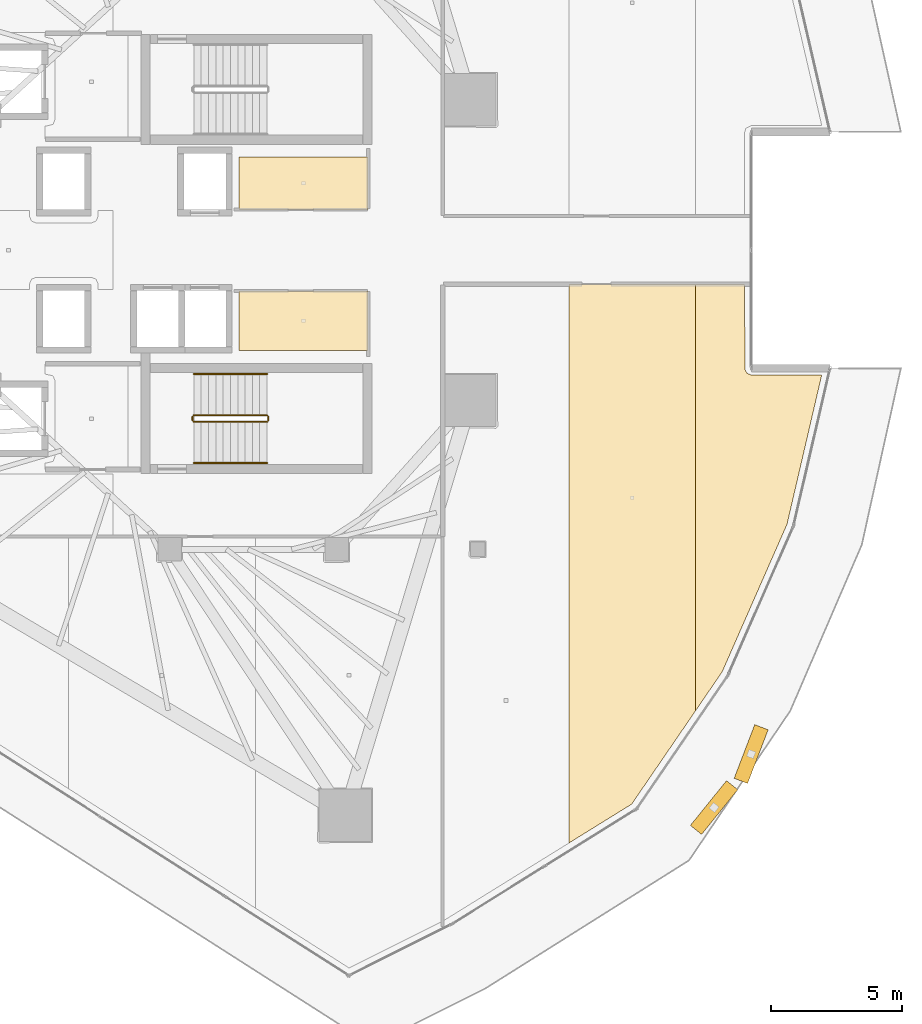
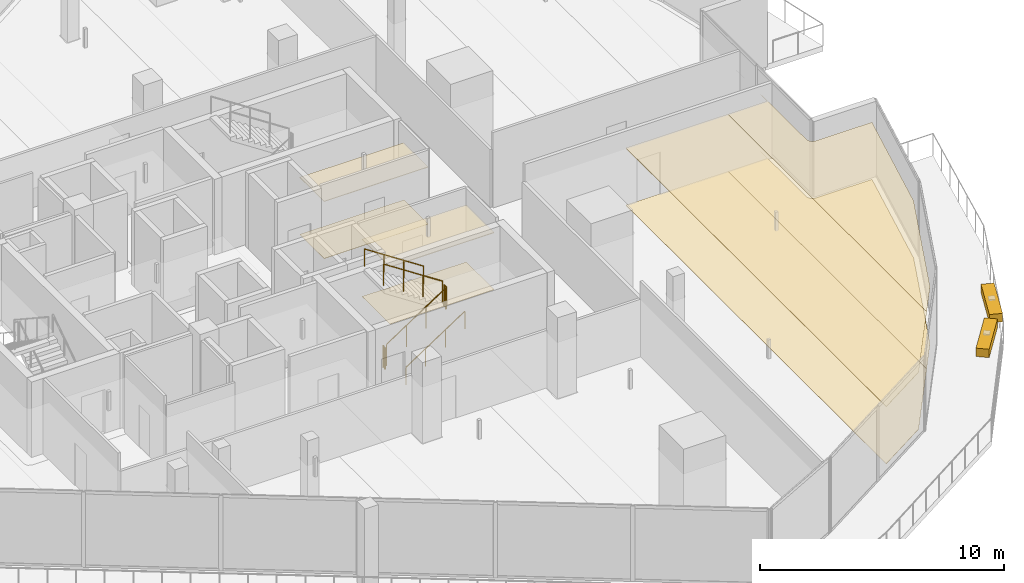
# One storey, part 33 of 36: 8 coverings, 6 railings, 2 shading devices.
"""IFC4 building model written with IfcOpenShell, lengths in metres."""

from ifc_helpers import new_model, si_unit, direction, frame, origin, origin_2d, place, context, subcontext, project, spatial, polyline, rectangle, circle, outline, extrude, material, layer, layer_set, type_object, element, save


model = new_model("IFC4")

# Units and contexts
model_context = context("Model", 3, precision=1e-05, world=origin(), true_north=direction((0.0, 1.0)))
body_context = subcontext(model_context, "Body", "Model", "MODEL_VIEW")
ifc_project = project(units=[si_unit("LENGTHUNIT", "METRE"), si_unit("AREAUNIT", "SQUARE_METRE"), si_unit("VOLUMEUNIT", "CUBIC_METRE"), si_unit("PLANEANGLEUNIT", "RADIAN"), si_unit("MASSUNIT", "GRAM", prefix="KILO")], contexts=[model_context])

# Site, building, storey
site_placement = place(None, origin())
site = spatial("IfcSite", under=ifc_project, at=site_placement, CompositionType="ELEMENT")
building_placement = place(site_placement, origin())
building = spatial("IfcBuilding", under=site, at=building_placement, Name="Qorvath Tower", CompositionType="ELEMENT")
storey_placement = place(building_placement, frame((0.0, 0.0, 192.89990234375)))
storey = spatial("IfcBuildingStorey", under=building, at=storey_placement, Name="L44", CompositionType="ELEMENT", Elevation=192.89990234375)

# Coverings
ifc_material_1 = material(Name="Acoustic mineral fibre ceiling tile", Category="gypsum")
ifc_layer_1 = layer(ifc_material_1, 0.030029296875)
ifc_layer_set_1 = layer_set([ifc_layer_1], Name="COV-CEIL")
covering_type_1 = type_object("IfcCoveringType", Name="COV-CEIL", PredefinedType="CEILING", material=ifc_layer_set_1)
covering_1_placement = place(storey_placement, frame((0.0, 0.0, 2.85009765625)))
element("IfcCovering", 1, at=covering_1_placement, inside=storey, type_object=covering_type_1, Name="L44 Suspended Acoustic Ceiling 003", PredefinedType="CEILING", context=body_context, shape_type="SweptSolid", body=[
    extrude(outline(polyline([(-16.0048828125, 3.56005859375), (-20.93994140625, 3.56005859375), (-20.93994140625, 1.56494140625), (-16.0048828125, 1.56494140625), (-16.0048828125, 3.56005859375)])), origin(), (0.0, 0.0, 1.0), 0.030029296875),
])
covering_2_placement = place(storey_placement, frame((0.0, 0.0, 2.85009765625)))
element("IfcCovering", 2, at=covering_2_placement, inside=storey, type_object=covering_type_1, Name="L44 Suspended Acoustic Ceiling 004", PredefinedType="CEILING", context=body_context, shape_type="SweptSolid", body=[
    extrude(outline(polyline([(-20.93994140625, -1.56494140625), (-20.93994140625, -3.85009765625), (-16.0048828125, -3.85009765625), (-16.0048828125, -1.56494140625), (-20.93994140625, -1.56494140625)])), origin(), (0.0, 0.0, 1.0), 0.030029296875),
])
covering_3_placement = place(storey_placement, frame((0.0, 0.0, 2.85009765625)))
element("IfcCovering", 3, at=covering_3_placement, inside=storey, type_object=covering_type_1, Name="L44 Suspended Acoustic Ceiling 025", PredefinedType="CEILING", context=body_context, shape_type="SweptSolid", body=[
    extrude(outline(polyline([(-3.47021484375, -17.63623046875), (-3.47021484375, -1.31298828125), (-8.3037109375, -1.31298828125), (-8.3037109375, -22.687744140625), (-5.91162109375, -21.20556640625), (-3.47021484375, -17.63623046875)])), origin(), (0.0, 0.0, 1.0), 0.030029296875),
])
covering_4_placement = place(storey_placement, frame((0.0, 0.0, 2.85009765625)))
element("IfcCovering", 4, at=covering_4_placement, inside=storey, type_object=covering_type_1, Name="L44 Suspended Acoustic Ceiling 026", PredefinedType="CEILING", context=body_context, shape_type="SweptSolid", body=[
    extrude(outline(polyline([(-1.491943359375, -4.715576171875), (-1.579345703125, -4.568603515625), (-1.590087890625, -0.740478515625), (-1.60107421875, -1.31298828125), (-3.47021484375, -1.31298828125), (-3.47021484375, -17.63623046875), (-2.446533203125, -16.139404296875), (0.03466796875, -10.492919921875), (1.363037109375, -4.77490234375), (-1.353515625, -4.773681640625), (-1.491943359375, -4.715576171875)])), origin(), (0.0, 0.0, 1.0), 0.030029296875),
])
ifc_material_2 = material(Name="Low-VOC modular carpet tile", Category="textile")
ifc_layer_2 = layer(ifc_material_2, 0.014892578125)
ifc_layer_set_2 = layer_set([ifc_layer_2], Name="COV-FLOOR-CPT")
covering_type_2 = type_object("IfcCoveringType", Name="COV-FLOOR-CPT", PredefinedType="FLOORING", material=ifc_layer_set_2)
covering_5_placement = place(storey_placement, origin())
element("IfcCovering", 5, at=covering_5_placement, inside=storey, type_object=covering_type_2, Name="L44 Floor Finish 003", PredefinedType="FLOORING", context=body_context, shape_type="SweptSolid", body=[
    extrude(outline(polyline([(-16.0048828125, 3.56005859375), (-20.93994140625, 3.56005859375), (-20.93994140625, 1.56494140625), (-16.0048828125, 1.56494140625), (-16.0048828125, 3.56005859375)])), origin(), (0.0, 0.0, 1.0), 0.01513671875),
])
covering_6_placement = place(storey_placement, origin())
element("IfcCovering", 6, at=covering_6_placement, inside=storey, type_object=covering_type_2, Name="L44 Floor Finish 004", PredefinedType="FLOORING", context=body_context, shape_type="SweptSolid", body=[
    extrude(outline(polyline([(-20.93994140625, -1.56494140625), (-20.93994140625, -3.85009765625), (-16.0048828125, -3.85009765625), (-16.0048828125, -1.56494140625), (-20.93994140625, -1.56494140625)])), origin(), (0.0, 0.0, 1.0), 0.01513671875),
])
covering_7_placement = place(storey_placement, origin())
element("IfcCovering", 7, at=covering_7_placement, inside=storey, type_object=covering_type_2, Name="L44 Floor Finish 025", PredefinedType="FLOORING", context=body_context, shape_type="SweptSolid", body=[
    extrude(outline(polyline([(-3.47021484375, -17.63623046875), (-3.47021484375, -1.31298828125), (-8.3037109375, -1.31298828125), (-8.3037109375, -22.687744140625), (-5.91162109375, -21.20556640625), (-3.47021484375, -17.63623046875)])), origin(), (0.0, 0.0, 1.0), 0.01513671875),
])
covering_8_placement = place(storey_placement, origin())
element("IfcCovering", 8, at=covering_8_placement, inside=storey, type_object=covering_type_2, Name="L44 Floor Finish 026", PredefinedType="FLOORING", context=body_context, shape_type="SweptSolid", body=[
    extrude(outline(polyline([(-1.491943359375, -4.715576171875), (-1.579345703125, -4.568603515625), (-1.590087890625, -0.740478515625), (-1.60107421875, -1.31298828125), (-3.47021484375, -1.31298828125), (-3.47021484375, -17.63623046875), (-2.446533203125, -16.139404296875), (0.03466796875, -10.492919921875), (1.363037109375, -4.77490234375), (-1.353515625, -4.773681640625), (-1.491943359375, -4.715576171875)])), origin(), (0.0, 0.0, 1.0), 0.01513671875),
])

# Railings
ifc_material_3 = material(Name="Painted galvanised steel", Category="steel")
railing_type_1 = type_object("IfcRailingType", Name="RL-STR-GRD", PredefinedType="GUARDRAIL", material=ifc_material_3)
railing_1_placement = place(storey_placement, frame((-22.669921875, -6.570068359375, 0.18408203125)))
element("IfcRailing", 9, at=railing_1_placement, inside=storey, type_object=railing_type_1, Name="L44 TS2 stair guard 1", PredefinedType="GUARDRAIL", context=body_context, shape_type="SweptSolid", body=[
    extrude(circle(Radius=0.02392578125, at=origin_2d()), frame((0.0, 0.0, 1.076171875), z_axis=(0.835542071712, 0.0, 0.549426470421), x_axis=(0.0, 1.0, 0.0)), (0.0, 0.0, 1.0), 3.350830078125),
    extrude(circle(Radius=0.02099609375, at=origin_2d()), origin(), (0.0, 0.0, 1.0), 1.052001953125),
    extrude(circle(Radius=0.02099609375, at=origin_2d()), frame((0.933349609375, 0.0, 0.61376953125)), (0.0, 0.0, 1.0), 1.052001953125),
    extrude(circle(Radius=0.02099609375, at=origin_2d()), frame((1.866455078125, 0.0, 1.227294921875)), (0.0, 0.0, 1.0), 1.052001953125),
    extrude(circle(Radius=0.02099609375, at=origin_2d()), frame((2.7998046875, 0.0, 1.841064453125)), (0.0, 0.0, 1.0), 1.052001953125),
])
railing_2_placement = place(storey_placement, frame((-19.820068359375, -6.52001953125, 2.025146484375)))
element("IfcRailing", 10, at=railing_2_placement, inside=storey, type_object=railing_type_1, Name="L44 TS2 stair guard 2", PredefinedType="GUARDRAIL", context=body_context, shape_type="SweptSolid", body=[
    extrude(circle(Radius=0.02392578125, at=origin_2d()), frame((0.0, 0.0, 1.076171875), z_axis=(0.0, 1.0, 0.0), x_axis=(-1.0, 0.0, 0.0)), (0.0, 0.0, 1.0), 0.14990234375),
    extrude(circle(Radius=0.02099609375, at=origin_2d()), origin(), (0.0, 0.0, 1.0), 1.052001953125),
    extrude(circle(Radius=0.02099609375, at=origin_2d()), frame((0.0, 0.14990234375, 0.0)), (0.0, 0.0, 1.0), 1.052001953125),
])
railing_3_placement = place(storey_placement, frame((-19.8701171875, -6.320068359375, 2.209228515625)))
element("IfcRailing", 11, at=railing_3_placement, inside=storey, type_object=railing_type_1, Name="L44 TS2 stair guard 3", PredefinedType="GUARDRAIL", context=body_context, shape_type="SweptSolid", body=[
    extrude(circle(Radius=0.02392578125, at=origin_2d()), frame((0.0, 0.0, 1.076171875), z_axis=(-0.835575518608, 0.0, 0.549375602573), x_axis=(0.0, -1.0, 0.0)), (0.0, 0.0, 1.0), 3.350830078125),
    extrude(circle(Radius=0.02099609375, at=origin_2d()), origin(), (0.0, 0.0, 1.0), 1.052001953125),
    extrude(circle(Radius=0.02099609375, at=origin_2d()), frame((-0.933349609375, 0.0, 0.613525390625)), (0.0, 0.0, 1.0), 1.052001953125),
    extrude(circle(Radius=0.02099609375, at=origin_2d()), frame((-1.866455078125, 0.0, 1.227294921875)), (0.0, 0.0, 1.0), 1.052001953125),
    extrude(circle(Radius=0.02099609375, at=origin_2d()), frame((-2.7998046875, 0.0, 1.8408203125)), (0.0, 0.0, 1.0), 1.052001953125),
])
railing_4_placement = place(storey_placement, frame((-22.719970703125, -6.52001953125, 0.0)))
element("IfcRailing", 12, at=railing_4_placement, inside=storey, type_object=railing_type_1, Name="L44 TS2 stair guard 4", PredefinedType="GUARDRAIL", context=body_context, shape_type="SweptSolid", body=[
    extrude(circle(Radius=0.02392578125, at=origin_2d()), frame((0.0, 0.0, 1.076171875), z_axis=(0.0, 1.0, 0.0), x_axis=(-1.0, 0.0, 0.0)), (0.0, 0.0, 1.0), 0.14990234375),
    extrude(circle(Radius=0.02099609375, at=origin_2d()), origin(), (0.0, 0.0, 1.0), 1.052001953125),
    extrude(circle(Radius=0.02099609375, at=origin_2d()), frame((0.0, 0.14990234375, 0.0)), (0.0, 0.0, 1.0), 1.052001953125),
])
ifc_material_4 = material(Name="Brushed stainless steel AISI 304", Category="steel")
railing_type_2 = type_object("IfcRailingType", Name="RL-STR-HND", PredefinedType="HANDRAIL", material=ifc_material_4)
railing_5_placement = place(storey_placement, frame((-22.669921875, -8.14990234375, 0.18408203125)))
element("IfcRailing", 13, at=railing_5_placement, inside=storey, type_object=railing_type_2, Name="L44 TS2 stair handrail 1", PredefinedType="HANDRAIL", context=body_context, shape_type="SweptSolid", body=[
    extrude(circle(Radius=0.02392578125, at=origin_2d()), frame((0.0, 0.0, 0.8759765625), z_axis=(0.835542071712, 0.0, 0.549426470421), x_axis=(0.0, 1.0, 0.0)), (0.0, 0.0, 1.0), 3.350830078125),
    extrude(circle(Radius=0.02099609375, at=origin_2d()), origin(), (0.0, 0.0, 1.0), 0.851806640625),
    extrude(circle(Radius=0.02099609375, at=origin_2d()), frame((0.933349609375, 0.0, 0.61376953125)), (0.0, 0.0, 1.0), 0.851806640625),
    extrude(circle(Radius=0.02099609375, at=origin_2d()), frame((1.866455078125, 0.0, 1.227294921875)), (0.0, 0.0, 1.0), 0.851806640625),
    extrude(circle(Radius=0.02099609375, at=origin_2d()), frame((2.7998046875, 0.0, 1.841064453125)), (0.0, 0.0, 1.0), 0.851806640625),
])
railing_6_placement = place(storey_placement, frame((-19.8701171875, -4.739990234375, 2.209228515625)))
element("IfcRailing", 14, at=railing_6_placement, inside=storey, type_object=railing_type_2, Name="L44 TS2 stair handrail 2", PredefinedType="HANDRAIL", context=body_context, shape_type="SweptSolid", body=[
    extrude(circle(Radius=0.02392578125, at=origin_2d()), frame((0.0, 0.0, 0.8759765625), z_axis=(-0.835575518608, 0.0, 0.549375602573), x_axis=(0.0, -1.0, 0.0)), (0.0, 0.0, 1.0), 3.350830078125),
    extrude(circle(Radius=0.02099609375, at=origin_2d()), origin(), (0.0, 0.0, 1.0), 0.851806640625),
    extrude(circle(Radius=0.02099609375, at=origin_2d()), frame((-0.933349609375, 0.0, 0.613525390625)), (0.0, 0.0, 1.0), 0.851806640625),
    extrude(circle(Radius=0.02099609375, at=origin_2d()), frame((-1.866455078125, 0.0, 1.227294921875)), (0.0, 0.0, 1.0), 0.851806640625),
    extrude(circle(Radius=0.02099609375, at=origin_2d()), frame((-2.7998046875, 0.0, 1.8408203125)), (0.0, 0.0, 1.0), 0.851806640625),
])

# Shading devices
ifc_material_5 = material(Name="Anodised bronze-champagne aluminium", Category="aluminium")
shading_device_type = type_object("IfcShadingDeviceType", Name="SD-LOUVRE", PredefinedType="JALOUSIE", material=ifc_material_5)
for number, where, z_axis, x_axis, name in (
    (15, (-2.759521484375, -21.33642578125, 3.360107421875), (0.0, 0.0, 1.0), (0.628628390287, 0.777705822869, 0.0), "Sinusoidal Wave Louvre Blade L44-03"),
    (16, (-1.33935546875, -19.288818359375, 3.360107421875), (0.0, 0.0, 1.0), (0.357683503127, 0.933842873074, 0.0), "Sinusoidal Wave Louvre Blade L44-04"),
):
    element("IfcShadingDevice", number, at=place(storey_placement, frame(where, z_axis=z_axis, x_axis=x_axis)), inside=storey, type_object=shading_device_type, Name=name, PredefinedType="NOTDEFINED", context=body_context, shape_type="SweptSolid", body=[
        extrude(rectangle(XDim=2.199951171875, YDim=0.550048828125, at=origin_2d()), origin(), (0.0, 0.0, 1.0), 0.419921875),
    ])

save(model, "model.ifc")
